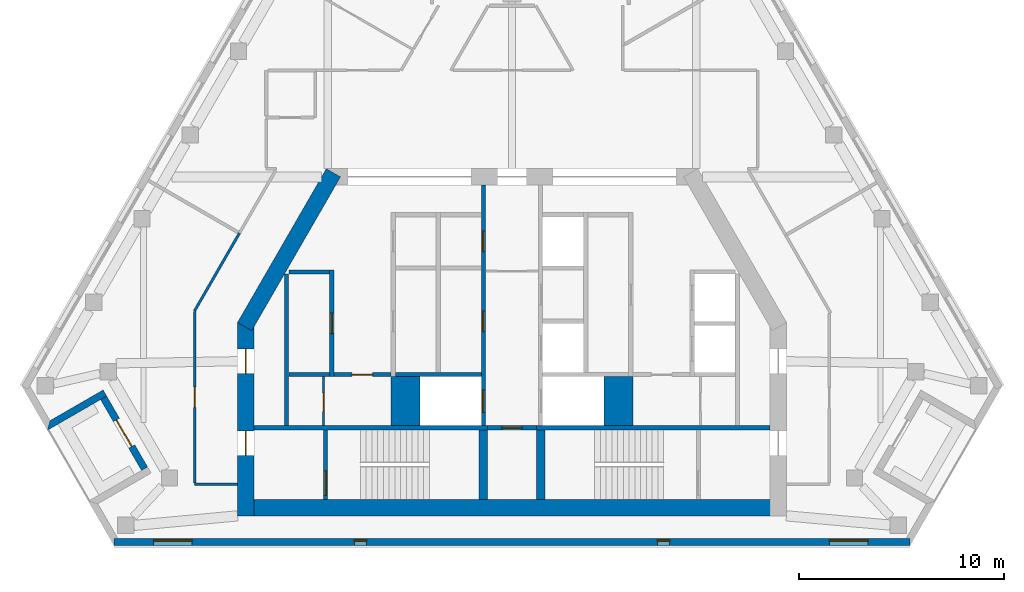
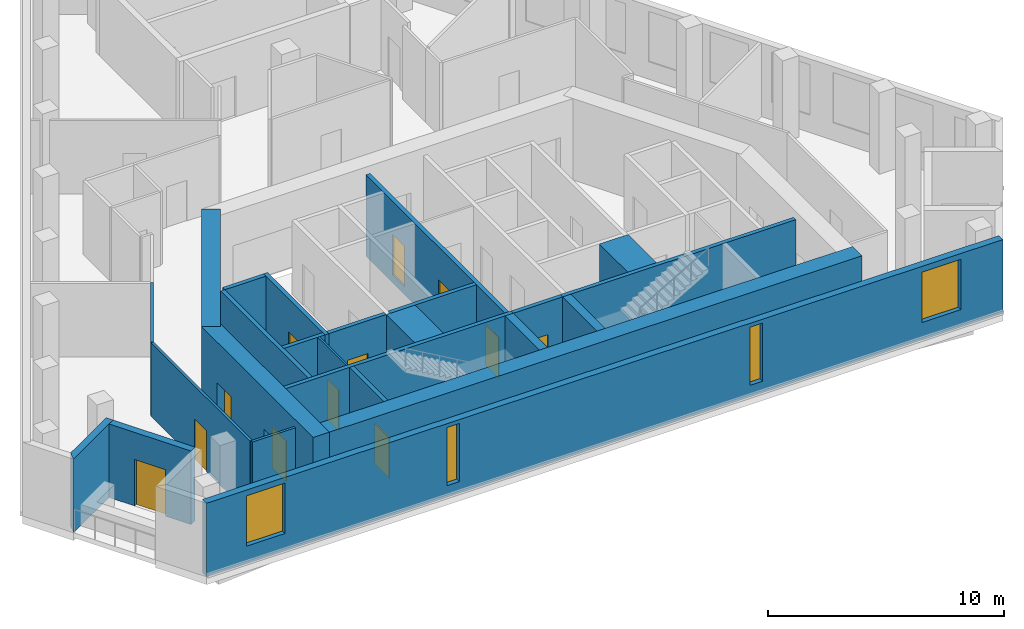
# One storey, part 2 of 8: 25 walls, 12 doors, 4 windows, 16 openings.
"""IFC4 building model written with IfcOpenShell, lengths in metres."""

from ifc_helpers import new_model, si_unit, direction, frame, frame_2d, origin, place, context, subcontext, project, spatial, polyline, rectangle, outline, extrude, material, layer, layer_set, type_object, element, fill, save


model = new_model("IFC4")

# Units and contexts
model_context = context("Model", 3, precision=1e-05, world=origin(), true_north=direction((0.0, 1.0)))
body_context = subcontext(model_context, "Body", "Model", "MODEL_VIEW")
ifc_project = project(units=[si_unit("LENGTHUNIT", "METRE"), si_unit("AREAUNIT", "SQUARE_METRE"), si_unit("VOLUMEUNIT", "CUBIC_METRE"), si_unit("PLANEANGLEUNIT", "RADIAN"), si_unit("MASSUNIT", "GRAM", prefix="KILO")], contexts=[model_context])

# Site, building, storey
site_placement = place(None, origin())
site = spatial("IfcSite", under=ifc_project, at=site_placement, CompositionType="ELEMENT")
building_placement = place(site_placement, origin())
building = spatial("IfcBuilding", under=site, at=building_placement, Name="Fogline Exchange Tower", CompositionType="ELEMENT")
storey_placement = place(building_placement, frame((0.0, 0.0, 335.10009765625)))
storey = spatial("IfcBuildingStorey", under=building, at=storey_placement, Name="L76", CompositionType="ELEMENT", Elevation=335.10009765625)

# Wall, opening, door
ifc_material_1 = material(Name="Blockwork partition", Category="masonry")
ifc_layer_1 = layer(ifc_material_1, 0.10009765625)
ifc_layer_set_1 = layer_set([ifc_layer_1], Name="CW10")
wall_type_1 = type_object("IfcWallType", Name="CW10", PredefinedType="PARTITIONING", material=ifc_layer_set_1)
wall_1_placement = place(storey_placement, frame((-9.199951171875, 5.85009765625, 0.0), z_axis=(0.0, 0.0, 1.0), x_axis=(0.0, 1.0, 0.0)))
wall_1 = element("IfcWall", 1, at=wall_1_placement, inside=storey, type_object=wall_type_1, Name="WC partition", PredefinedType="PARTITIONING", context=body_context, shape_type="SweptSolid", body=[
    extrude(rectangle(XDim=2.39990234375, YDim=0.10009765625, at=frame_2d((1.199951171875, 0.0))), origin(), (0.0, 0.0, 1.0), 3.7998046875),
])
opening_1_placement = place(wall_1_placement, frame((0.699951171875, 0.0, 0.0)))
opening_1 = element("IfcOpeningElement", 2, at=opening_1_placement, cuts=wall_1, Name="Opening T24-C010", PredefinedType="OPENING", context=body_context, shape_type="SweptSolid", body=[
    extrude(rectangle(XDim=0.89990234375, YDim=2.10009765625, at=frame_2d((0.449951171875, 1.050048828125))), frame((0.0, 0.06005859375, 0.0), z_axis=(0.0, -1.0, 0.0), x_axis=(1.0, 0.0, 0.0)), (0.0, 0.0, 1.0), 0.1201171875),
])
ifc_material_2 = material(Name="Steel and timber fire door", Category="steel")
door_type_1 = type_object("IfcDoorType", Name="D-CS1", OperationType="SINGLE_SWING_RIGHT", PredefinedType="DOOR", material=ifc_material_2)
door_1_placement = place(opening_1_placement, origin())
door_1 = element("IfcDoor", 3, at=door_1_placement, inside=storey, type_object=door_type_1, Name="Door to Cleaner's Store", OperationType="SINGLE_SWING_LEFT", OverallHeight=2.10009765625, OverallWidth=0.89990234375, PredefinedType="DOOR", context=body_context, shape_type="SweptSolid", body=[
    extrude(rectangle(XDim=0.89990234375, YDim=2.10009765625, at=frame_2d((0.449951171875, 1.050048828125))), frame((0.0, 0.02490234375, 0.0), z_axis=(0.0, -1.0, 0.0), x_axis=(1.0, 0.0, 0.0)), (0.0, 0.0, 1.0), 0.050048828125),
])
fill(opening_1, door_1)

# Walls
ifc_material_3 = material(Name="Concrete C60", Category="concrete")
ifc_layer_2 = layer(ifc_material_3, 1.39990234375)
ifc_layer_set_2 = layer_set([ifc_layer_2], Name="CW140")
wall_type_2 = type_object("IfcWallType", Name="CW140", PredefinedType="SOLIDWALL", material=ifc_layer_set_2)
for number, where, z_axis, x_axis, name in (
    (4, (-5.199951171875, 5.85009765625, -0.400146484375), (0.0, 0.0, 1.0), (0.0, 1.0, 0.0), "Lift shaft block wall"),
    (5, (5.199951171875, 5.85009765625, -0.400146484375), (0.0, 0.0, 1.0), (0.0, 1.0, 0.0), "Lift shaft block wall"),
):
    element("IfcWall", number, at=place(storey_placement, frame(where, z_axis=z_axis, x_axis=x_axis)), inside=storey, type_object=wall_type_2, Name=name, PredefinedType="SOLIDWALL", context=body_context, shape_type="SweptSolid", body=[
        extrude(rectangle(XDim=2.39990234375, YDim=1.39990234375, at=frame_2d((1.199951171875, 0.0))), origin(), (0.0, 0.0, 1.0), 4.199951171875),
    ])
ifc_material_4 = material(Name="Concrete C40", Category="concrete")
ifc_layer_3 = layer(ifc_material_4, 0.199951171875)
ifc_layer_set_3 = layer_set([ifc_layer_3], Name="CW20")
wall_type_3 = type_object("IfcWallType", Name="CW20", PredefinedType="SOLIDWALL", material=ifc_layer_set_3)
wall_2_placement = place(storey_placement, frame((-11.0, 5.85009765625, 0.0), z_axis=(0.0, 0.0, 1.0), x_axis=(0.0, 1.0, 0.0)))
element("IfcWall", 6, at=wall_2_placement, inside=storey, type_object=wall_type_3, Name="Service room wall", PredefinedType="SOLIDWALL", context=body_context, shape_type="SweptSolid", body=[
    extrude(rectangle(XDim=7.39990234375, YDim=0.199951171875, at=frame_2d((3.699951171875, 0.0))), origin(), (0.0, 0.0, 1.0), 3.7998046875),
])

# Wall, opening, door
wall_3_placement = place(storey_placement, frame((-8.699951171875, 8.35009765625, 0.0), z_axis=(0.0, 0.0, 1.0), x_axis=(1.0, 0.0, 0.0)))
wall_3 = element("IfcWall", 7, at=wall_3_placement, inside=storey, type_object=wall_type_3, Name="WC wall", PredefinedType="SOLIDWALL", context=body_context, shape_type="SweptSolid", body=[
    extrude(rectangle(XDim=2.800048828125, YDim=0.199951171875, at=frame_2d((1.39990234375, 0.0))), origin(), (0.0, 0.0, 1.0), 3.7998046875),
])
opening_2_placement = place(wall_3_placement, frame((0.89990234375, 0.0, 0.0)))
opening_2 = element("IfcOpeningElement", 8, at=opening_2_placement, cuts=wall_3, Name="Opening T24-C009", PredefinedType="OPENING", context=body_context, shape_type="SweptSolid", body=[
    extrude(rectangle(XDim=1.0, YDim=2.10009765625, at=frame_2d((0.5, 1.050048828125))), frame((0.0, 0.10986328125, 0.0), z_axis=(0.0, -1.0, 0.0), x_axis=(1.0, 0.0, 0.0)), (0.0, 0.0, 1.0), 0.219970703125),
])
door_type_2 = type_object("IfcDoorType", Name="D-WC1", OperationType="SINGLE_SWING_LEFT", PredefinedType="DOOR", material=ifc_material_2)
door_2_placement = place(opening_2_placement, frame((1.0, 0.0, 0.0), z_axis=(0.0, 0.0, 1.0), x_axis=(-1.0, 0.0, 0.0)))
door_2 = element("IfcDoor", 9, at=door_2_placement, inside=storey, type_object=door_type_2, Name="Door to Men's WC", OperationType="SINGLE_SWING_LEFT", OverallHeight=2.10009765625, OverallWidth=1.0, PredefinedType="DOOR", context=body_context, shape_type="SweptSolid", body=[
    extrude(rectangle(XDim=1.0, YDim=2.10009765625, at=frame_2d((0.5, 1.050048828125))), frame((0.0, 0.02490234375, 0.0), z_axis=(0.0, -1.0, 0.0), x_axis=(1.0, 0.0, 0.0)), (0.0, 0.0, 1.0), 0.050048828125),
])
fill(opening_2, door_2)

# Wall
ifc_layer_4 = layer(ifc_material_4, 0.199951171875)
ifc_layer_set_4 = layer_set([ifc_layer_4], Name="CW20R")
wall_type_4 = type_object("IfcWallType", Name="CW20R", PredefinedType="SOLIDWALL", material=ifc_layer_set_4)
wall_4_placement = place(storey_placement, frame((-12.60009765625, 5.75, -0.400146484375), z_axis=(0.0, 0.0, 1.0), x_axis=(1.0, 0.0, 0.0)))
element("IfcWall", 10, at=wall_4_placement, inside=storey, type_object=wall_type_4, Name="Stair enclosure wall", PredefinedType="SOLIDWALL", context=body_context, shape_type="SweptSolid", body=[
    extrude(rectangle(XDim=11.400146484375, YDim=0.199951171875, at=frame_2d((5.7001953125, 0.0))), origin(), (0.0, 0.0, 1.0), 4.199951171875),
])

# Wall, opening, door
wall_5_placement = place(storey_placement, frame((-1.199951171875, 5.75, -0.400146484375), z_axis=(0.0, 0.0, 1.0), x_axis=(1.0, 0.0, 0.0)))
wall_5 = element("IfcWall", 11, at=wall_5_placement, inside=storey, type_object=wall_type_4, Name="Stair enclosure wall", PredefinedType="SOLIDWALL", context=body_context, shape_type="SweptSolid", body=[
    extrude(rectangle(XDim=2.39990234375, YDim=0.199951171875, at=frame_2d((1.199951171875, 0.0))), origin(), (0.0, 0.0, 1.0), 4.199951171875),
])
opening_3_placement = place(wall_5_placement, frame((0.699951171875, 0.0, 0.39990234375)))
opening_3 = element("IfcOpeningElement", 12, at=opening_3_placement, cuts=wall_5, Name="Opening T24-C008", PredefinedType="OPENING", context=body_context, shape_type="SweptSolid", body=[
    extrude(rectangle(XDim=1.0, YDim=2.10009765625, at=frame_2d((0.5, 1.050048828125))), frame((0.0, 0.10986328125, 0.0), z_axis=(0.0, -1.0, 0.0), x_axis=(1.0, 0.0, 0.0)), (0.0, 0.0, 1.0), 0.219970703125),
])
door_type_3 = type_object("IfcDoorType", Name="D-RM1", OperationType="SINGLE_SWING_LEFT", PredefinedType="DOOR", material=ifc_material_2)
door_3_placement = place(opening_3_placement, frame((1.0, 0.0, 0.0), z_axis=(0.0, 0.0, 1.0), x_axis=(-1.0, 0.0, 0.0)))
door_3 = element("IfcDoor", 13, at=door_3_placement, inside=storey, type_object=door_type_3, Name="Door to Stationery Store", OperationType="SINGLE_SWING_RIGHT", OverallHeight=2.10009765625, OverallWidth=1.0, PredefinedType="DOOR", context=body_context, shape_type="SweptSolid", body=[
    extrude(rectangle(XDim=1.0, YDim=2.10009765625, at=frame_2d((0.5, 1.050048828125))), frame((0.0, 0.02490234375, 0.0), z_axis=(0.0, -1.0, 0.0), x_axis=(1.0, 0.0, 0.0)), (0.0, 0.0, 1.0), 0.050048828125),
])
fill(opening_3, door_3)

# Wall
wall_6_placement = place(storey_placement, frame((1.199951171875, 5.75, -0.400146484375), z_axis=(0.0, 0.0, 1.0), x_axis=(1.0, 0.0, 0.0)))
element("IfcWall", 14, at=wall_6_placement, inside=storey, type_object=wall_type_4, Name="Stair enclosure wall", PredefinedType="SOLIDWALL", context=body_context, shape_type="SweptSolid", body=[
    extrude(rectangle(XDim=11.400146484375, YDim=0.199951171875, at=frame_2d((5.7001953125, 0.0))), origin(), (0.0, 0.0, 1.0), 4.199951171875),
])

# Wall, opening, door
wall_7_placement = place(storey_placement, frame((-9.10009765625, 2.25, -0.400146484375), z_axis=(0.0, 0.0, 1.0), x_axis=(0.0, 1.0, 0.0)))
wall_7 = element("IfcWall", 15, at=wall_7_placement, inside=storey, type_object=wall_type_4, Name="Stair enclosure wall", PredefinedType="SOLIDWALL", context=body_context, shape_type="SweptSolid", body=[
    extrude(rectangle(XDim=3.39990234375, YDim=0.199951171875, at=frame_2d((1.699951171875, 0.0))), origin(), (0.0, 0.0, 1.0), 4.199951171875),
])
opening_4_placement = place(wall_7_placement, frame((0.199951171875, 0.0, 0.39990234375)))
opening_4 = element("IfcOpeningElement", 16, at=opening_4_placement, cuts=wall_7, Name="Opening T24-C012", PredefinedType="OPENING", context=body_context, shape_type="SweptSolid", body=[
    extrude(rectangle(XDim=1.199951171875, YDim=2.10009765625, at=frame_2d((0.60009765625, 1.050048828125))), frame((0.0, 0.10986328125, 0.0), z_axis=(0.0, -1.0, 0.0), x_axis=(1.0, 0.0, 0.0)), (0.0, 0.0, 1.0), 0.219970703125),
])
door_type_4 = type_object("IfcDoorType", Name="D-ST1", OperationType="SINGLE_SWING_LEFT", PredefinedType="DOOR", material=ifc_material_2)
door_4_placement = place(opening_4_placement, frame((1.199951171875, 0.0, 0.0), z_axis=(0.0, 0.0, 1.0), x_axis=(-1.0, 0.0, 0.0)))
door_4 = element("IfcDoor", 17, at=door_4_placement, inside=storey, type_object=door_type_4, Name="Stair door ST1", OperationType="SINGLE_SWING_RIGHT", OverallHeight=2.10009765625, OverallWidth=1.199951171875, PredefinedType="DOOR", context=body_context, shape_type="SweptSolid", body=[
    extrude(rectangle(XDim=1.199951171875, YDim=2.10009765625, at=frame_2d((0.60009765625, 1.050048828125))), frame((0.0, 0.02490234375, 0.0), z_axis=(0.0, -1.0, 0.0), x_axis=(1.0, 0.0, 0.0)), (0.0, 0.0, 1.0), 0.050048828125),
])
fill(opening_4, door_4)

ifc_layer_5 = layer(ifc_material_4, 0.199951171875)
ifc_layer_set_5 = layer_set([ifc_layer_5], Name="CW20S")
wall_type_5 = type_object("IfcWallType", Name="CW20S", PredefinedType="SOLIDWALL", material=ifc_layer_set_5)
wall_8_placement = place(storey_placement, frame((-8.800048828125, 8.25, -0.400146484375), z_axis=(0.0, 0.0, 1.0), x_axis=(0.0, 1.0, 0.0)))
wall_8 = element("IfcWall", 18, at=wall_8_placement, inside=storey, type_object=wall_type_5, Name="Lift shaft wall", PredefinedType="SOLIDWALL", context=body_context, shape_type="SweptSolid", body=[
    extrude(rectangle(XDim=5.199951171875, YDim=0.199951171875, at=frame_2d((2.60009765625, 0.0))), origin(), (0.0, 0.0, 1.0), 4.199951171875),
])
opening_5_placement = place(wall_8_placement, frame((2.10009765625, 0.0, 0.39990234375)))
opening_5 = element("IfcOpeningElement", 19, at=opening_5_placement, cuts=wall_8, Name="Opening T24-C001", PredefinedType="OPENING", context=body_context, shape_type="SweptSolid", body=[
    extrude(rectangle(XDim=1.0, YDim=2.10009765625, at=frame_2d((0.5, 1.050048828125))), frame((0.0, 0.10986328125, 0.0), z_axis=(0.0, -1.0, 0.0), x_axis=(1.0, 0.0, 0.0)), (0.0, 0.0, 1.0), 0.219970703125),
])
door_5_placement = place(opening_5_placement, origin())
door_5 = element("IfcDoor", 20, at=door_5_placement, inside=storey, type_object=door_type_3, Name="Door to Archive Room", OperationType="SINGLE_SWING_RIGHT", OverallHeight=2.10009765625, OverallWidth=1.0, PredefinedType="DOOR", context=body_context, shape_type="SweptSolid", body=[
    extrude(rectangle(XDim=1.0, YDim=2.10009765625, at=frame_2d((0.5, 1.050048828125))), frame((0.0, 0.02490234375, 0.0), z_axis=(0.0, -1.0, 0.0), x_axis=(1.0, 0.0, 0.0)), (0.0, 0.0, 1.0), 0.050048828125),
])
fill(opening_5, door_5)

# Wall, openings, doors
wall_9_placement = place(storey_placement, frame((-1.39990234375, 5.85009765625, -0.400146484375), z_axis=(0.0, 0.0, 1.0), x_axis=(0.0, 1.0, 0.0)))
wall_9 = element("IfcWall", 21, at=wall_9_placement, inside=storey, type_object=wall_type_5, Name="Lift lobby wall", PredefinedType="SOLIDWALL", context=body_context, shape_type="SweptSolid", body=[
    extrude(rectangle(XDim=11.75, YDim=0.199951171875, at=frame_2d((5.875, 0.0))), origin(), (0.0, 0.0, 1.0), 4.199951171875),
])
opening_6_placement = place(wall_9_placement, frame((0.64990234375, 0.0, 0.39990234375)))
opening_6 = element("IfcOpeningElement", 22, at=opening_6_placement, cuts=wall_9, Name="Opening T24-LD01", PredefinedType="OPENING", context=body_context, shape_type="SweptSolid", body=[
    extrude(rectangle(XDim=1.10009765625, YDim=2.10009765625, at=frame_2d((0.550048828125, 1.050048828125))), frame((0.0, 0.10986328125, 0.0), z_axis=(0.0, -1.0, 0.0), x_axis=(1.0, 0.0, 0.0)), (0.0, 0.0, 1.0), 0.219970703125),
])
opening_7_placement = place(wall_9_placement, frame((4.60009765625, 0.0, 0.39990234375)))
opening_7 = element("IfcOpeningElement", 23, at=opening_7_placement, cuts=wall_9, Name="Opening T24-C004", PredefinedType="OPENING", context=body_context, shape_type="SweptSolid", body=[
    extrude(rectangle(XDim=1.0, YDim=2.10009765625, at=frame_2d((0.5, 1.050048828125))), frame((0.0, 0.10986328125, 0.0), z_axis=(0.0, -1.0, 0.0), x_axis=(1.0, 0.0, 0.0)), (0.0, 0.0, 1.0), 0.219970703125),
])
opening_8_placement = place(wall_9_placement, frame((8.5, 0.0, 0.39990234375)))
opening_8 = element("IfcOpeningElement", 24, at=opening_8_placement, cuts=wall_9, Name="Opening T24-C005", PredefinedType="OPENING", context=body_context, shape_type="SweptSolid", body=[
    extrude(rectangle(XDim=1.0, YDim=2.10009765625, at=frame_2d((0.5, 1.050048828125))), frame((0.0, 0.10986328125, 0.0), z_axis=(0.0, -1.0, 0.0), x_axis=(1.0, 0.0, 0.0)), (0.0, 0.0, 1.0), 0.219970703125),
])
door_6_placement = place(opening_7_placement, origin())
door_6 = element("IfcDoor", 25, at=door_6_placement, inside=storey, type_object=door_type_3, Name="Door to Library Store", OperationType="SINGLE_SWING_LEFT", OverallHeight=2.10009765625, OverallWidth=1.0, PredefinedType="DOOR", context=body_context, shape_type="SweptSolid", body=[
    extrude(rectangle(XDim=1.0, YDim=2.10009765625, at=frame_2d((0.5, 1.050048828125))), frame((0.0, 0.02490234375, 0.0), z_axis=(0.0, -1.0, 0.0), x_axis=(1.0, 0.0, 0.0)), (0.0, 0.0, 1.0), 0.050048828125),
])
fill(opening_7, door_6)
door_7_placement = place(opening_8_placement, origin())
door_7 = element("IfcDoor", 26, at=door_7_placement, inside=storey, type_object=door_type_3, Name="Door to Library Store", OperationType="SINGLE_SWING_LEFT", OverallHeight=2.10009765625, OverallWidth=1.0, PredefinedType="DOOR", context=body_context, shape_type="SweptSolid", body=[
    extrude(rectangle(XDim=1.0, YDim=2.10009765625, at=frame_2d((0.5, 1.050048828125))), frame((0.0, 0.02490234375, 0.0), z_axis=(0.0, -1.0, 0.0), x_axis=(1.0, 0.0, 0.0)), (0.0, 0.0, 1.0), 0.050048828125),
])
fill(opening_8, door_7)
door_type_5 = type_object("IfcDoorType", Name="LD2", OperationType="SLIDING_TO_RIGHT", PredefinedType="DOOR", material=ifc_material_2)
door_8_placement = place(opening_6_placement, origin())
door_8 = element("IfcDoor", 27, at=door_8_placement, inside=storey, type_object=door_type_5, Name="Landing door FF1", OperationType="SLIDING_TO_RIGHT", OverallHeight=2.10009765625, OverallWidth=1.10009765625, PredefinedType="DOOR", context=body_context, shape_type="SweptSolid", body=[
    extrude(rectangle(XDim=1.10009765625, YDim=2.10009765625, at=frame_2d((0.550048828125, 1.050048828125))), frame((0.0, 0.02490234375, 0.0), z_axis=(0.0, -1.0, 0.0), x_axis=(1.0, 0.0, 0.0)), (0.0, 0.0, 1.0), 0.050048828125),
])
fill(opening_6, door_8)

# Walls
wall_10_placement = place(storey_placement, frame((-10.89990234375, 8.35009765625, -0.400146484375), z_axis=(0.0, 0.0, 1.0), x_axis=(1.0, 0.0, 0.0)))
element("IfcWall", 28, at=wall_10_placement, inside=storey, type_object=wall_type_5, Name="Lift shaft wall", PredefinedType="SOLIDWALL", context=body_context, shape_type="SweptSolid", body=[
    extrude(rectangle(XDim=2.0, YDim=0.199951171875, at=frame_2d((1.0, 0.0))), origin(), (0.0, 0.0, 1.0), 4.199951171875),
])
wall_11_placement = place(storey_placement, frame((-5.699951171875, 8.35009765625, -0.400146484375), z_axis=(0.0, 0.0, 1.0), x_axis=(1.0, 0.0, 0.0)))
element("IfcWall", 29, at=wall_11_placement, inside=storey, type_object=wall_type_5, Name="Lift shaft wall", PredefinedType="SOLIDWALL", context=body_context, shape_type="SweptSolid", body=[
    extrude(rectangle(XDim=4.199951171875, YDim=0.199951171875, at=frame_2d((2.10009765625, 0.0))), origin(), (0.0, 0.0, 1.0), 4.199951171875),
])
wall_12_placement = place(storey_placement, frame((-10.89990234375, 13.35009765625, -0.400146484375), z_axis=(0.0, 0.0, 1.0), x_axis=(1.0, 0.0, 0.0)))
element("IfcWall", 30, at=wall_12_placement, inside=storey, type_object=wall_type_5, Name="Lift shaft wall", PredefinedType="SOLIDWALL", context=body_context, shape_type="SweptSolid", body=[
    extrude(rectangle(XDim=2.0, YDim=0.199951171875, at=frame_2d((1.0, 0.0))), origin(), (0.0, 0.0, 1.0), 4.199951171875),
])
ifc_layer_6 = layer(ifc_material_4, 0.39990234375)
ifc_layer_set_6 = layer_set([ifc_layer_6], Name="CW40R")
wall_type_6 = type_object("IfcWallType", Name="CW40R", PredefinedType="SOLIDWALL", material=ifc_layer_set_6)
for number, where, z_axis, x_axis, name in (
    (31, (-1.39990234375, 2.25, -0.400146484375), (0.0, 0.0, 1.0), (0.0, 1.0, 0.0), "Stair and lift shaft wall"),
    (32, (1.39990234375, 2.25, -0.400146484375), (0.0, 0.0, 1.0), (0.0, 1.0, 0.0), "Stair and lift shaft wall"),
):
    element("IfcWall", number, at=place(storey_placement, frame(where, z_axis=z_axis, x_axis=x_axis)), inside=storey, type_object=wall_type_6, Name=name, PredefinedType="SOLIDWALL", context=body_context, shape_type="SweptSolid", body=[
        extrude(rectangle(XDim=3.39990234375, YDim=0.39990234375, at=frame_2d((1.699951171875, 0.0))), origin(), (0.0, 0.0, 1.0), 4.199951171875),
    ])
ifc_material_5 = material(Name="Brick masonry", Category="masonry")
ifc_layer_7 = layer(ifc_material_5, 0.340087890625)
ifc_layer_set_7 = layer_set([ifc_layer_7], Name="FW1")
wall_type_7 = type_object("IfcWallType", Name="FW1", PredefinedType="SOLIDWALL", material=ifc_layer_set_7)
wall_13_placement = place(storey_placement, origin())
element("IfcWall", 33, at=wall_13_placement, inside=storey, type_object=wall_type_7, Name="Brick wall L76 SW-s1", PredefinedType="SOLIDWALL", context=body_context, shape_type="SweptSolid", body=[
    extrude(outline(polyline([(-19.962158203125, 7.594482421875), (-19.791748046875, 7.298828125), (-20.086669921875, 7.128662109375), (-22.685546875, 5.628173828125), (-22.685791015625, 5.62841796875), (-22.56103515625, 6.093994140625), (-19.962158203125, 7.594482421875)])), origin(), (0.0, 0.0, 1.0), 3.7998046875),
])

# Wall, opening, door
wall_14_placement = place(storey_placement, frame((-19.939697265625, 7.214111328125, 0.0), z_axis=(0.0, 0.0, 1.0), x_axis=(0.49999894854, -0.866026010844, 0.0)))
wall_14 = element("IfcWall", 34, at=wall_14_placement, inside=storey, type_object=wall_type_7, Name="Brick wall L76 SW-bk", PredefinedType="SOLIDWALL", context=body_context, shape_type="SweptSolid", body=[
    extrude(rectangle(XDim=4.0, YDim=0.340087890625, at=frame_2d((2.0, 0.0))), origin(), (0.0, 0.0, 1.0), 3.7998046875),
])
opening_9_placement = place(wall_14_placement, frame((1.25, 0.0, 0.0)))
opening_9 = element("IfcOpeningElement", 35, at=opening_9_placement, cuts=wall_14, Name="Opening T24-E021", PredefinedType="OPENING", context=body_context, shape_type="SweptSolid", body=[
    extrude(rectangle(XDim=1.5, YDim=2.39990234375, at=frame_2d((0.75, 1.199951171875))), frame((0.0, 0.18017578125, 0.0), z_axis=(0.0, -1.0, 0.0), x_axis=(1.0, 0.0, 0.0)), (0.0, 0.0, 1.0), 0.360107421875),
])
ifc_material_6 = material(Name="Aluminium and glass", Category="aluminium")
door_type_6 = type_object("IfcDoorType", Name="ED4", OperationType="SINGLE_SWING_LEFT", PredefinedType="DOOR", material=ifc_material_6)
door_9_placement = place(opening_9_placement, frame((1.5, 0.0, 0.0), z_axis=(0.0, 0.0, 1.0), x_axis=(-1.0, 0.0, 0.0)))
door_9 = element("IfcDoor", 36, at=door_9_placement, inside=storey, type_object=door_type_6, Name="Balcony door L76 SW", OperationType="DOUBLE_DOOR_SINGLE_SWING", OverallHeight=2.39990234375, OverallWidth=1.5, PredefinedType="DOOR", context=body_context, shape_type="SweptSolid", body=[
    extrude(rectangle(XDim=1.5, YDim=2.39990234375, at=frame_2d((0.75, 1.199951171875))), frame((0.0, 0.02490234375, 0.0), z_axis=(0.0, -1.0, 0.0), x_axis=(1.0, 0.0, 0.0)), (0.0, 0.0, 1.0), 0.050048828125),
])
fill(opening_9, door_9)

# Wall, openings, windows
wall_15_placement = place(storey_placement, frame((-19.43505859375, 0.169921875, 0.0), z_axis=(0.0, 0.0, 1.0), x_axis=(1.0, 0.0, 0.0)))
wall_15 = element("IfcWall", 37, at=wall_15_placement, inside=storey, type_object=wall_type_7, Name="Brick wall L76 S", PredefinedType="SOLIDWALL", context=body_context, shape_type="SweptSolid", body=[
    extrude(rectangle(XDim=38.8701171875, YDim=0.340087890625, at=frame_2d((19.43505859375, 0.0))), origin(), (0.0, 0.0, 1.0), 3.7998046875),
])
opening_10_placement = place(wall_15_placement, frame((1.93505859375, 0.0, 0.89990234375)))
opening_10 = element("IfcOpeningElement", 38, at=opening_10_placement, cuts=wall_15, Name="Opening W3", PredefinedType="OPENING", context=body_context, shape_type="SweptSolid", body=[
    extrude(rectangle(XDim=1.885009765625, YDim=2.60009765625, at=frame_2d((0.9423828125, 1.300048828125))), frame((0.0, 0.18017578125, 0.0), z_axis=(0.0, -1.0, 0.0), x_axis=(1.0, 0.0, 0.0)), (0.0, 0.0, 1.0), 0.360107421875),
])
opening_11_placement = place(wall_15_placement, frame((34.93505859375, 0.0, 0.89990234375)))
opening_11 = element("IfcOpeningElement", 39, at=opening_11_placement, cuts=wall_15, Name="Opening W3", PredefinedType="OPENING", context=body_context, shape_type="SweptSolid", body=[
    extrude(rectangle(XDim=1.885009765625, YDim=2.60009765625, at=frame_2d((0.9423828125, 1.300048828125))), frame((0.0, 0.18017578125, 0.0), z_axis=(0.0, -1.0, 0.0), x_axis=(1.0, 0.0, 0.0)), (0.0, 0.0, 1.0), 0.360107421875),
])
opening_12_placement = place(wall_15_placement, frame((11.735107421875, 0.0, 0.60009765625)))
opening_12 = element("IfcOpeningElement", 40, at=opening_12_placement, cuts=wall_15, Name="Opening W5", PredefinedType="OPENING", context=body_context, shape_type="SweptSolid", body=[
    extrude(rectangle(XDim=0.60009765625, YDim=3.0, at=frame_2d((0.300048828125, 1.5))), frame((0.0, 0.18017578125, 0.0), z_axis=(0.0, -1.0, 0.0), x_axis=(1.0, 0.0, 0.0)), (0.0, 0.0, 1.0), 0.360107421875),
])
opening_13_placement = place(wall_15_placement, frame((26.534912109375, 0.0, 0.60009765625)))
opening_13 = element("IfcOpeningElement", 41, at=opening_13_placement, cuts=wall_15, Name="Opening W5", PredefinedType="OPENING", context=body_context, shape_type="SweptSolid", body=[
    extrude(rectangle(XDim=0.60009765625, YDim=3.0, at=frame_2d((0.300048828125, 1.5))), frame((0.0, 0.18017578125, 0.0), z_axis=(0.0, -1.0, 0.0), x_axis=(1.0, 0.0, 0.0)), (0.0, 0.0, 1.0), 0.360107421875),
])
window_type_1 = type_object("IfcWindowType", Name="W3", PartitioningType="SINGLE_PANEL", PredefinedType="WINDOW", material=ifc_material_6)
window_1_placement = place(opening_10_placement, origin())
window_1 = element("IfcWindow", 42, at=window_1_placement, inside=storey, type_object=window_type_1, Name="W3 W3", OverallHeight=2.60009765625, OverallWidth=1.885009765625, PartitioningType="SINGLE_PANEL", PredefinedType="WINDOW", context=body_context, shape_type="SweptSolid", body=[
    extrude(rectangle(XDim=1.885009765625, YDim=2.60009765625, at=frame_2d((0.9423828125, 1.300048828125))), frame((0.0, 0.110107421875, 0.0), z_axis=(0.0, -1.0, 0.0), x_axis=(1.0, 0.0, 0.0)), (0.0, 0.0, 1.0), 0.06005859375),
])
fill(opening_10, window_1)
window_2_placement = place(opening_11_placement, origin())
window_2 = element("IfcWindow", 43, at=window_2_placement, inside=storey, type_object=window_type_1, Name="W3 W3", OverallHeight=2.60009765625, OverallWidth=1.885009765625, PartitioningType="SINGLE_PANEL", PredefinedType="WINDOW", context=body_context, shape_type="SweptSolid", body=[
    extrude(rectangle(XDim=1.885009765625, YDim=2.60009765625, at=frame_2d((0.9423828125, 1.300048828125))), frame((0.0, 0.110107421875, 0.0), z_axis=(0.0, -1.0, 0.0), x_axis=(1.0, 0.0, 0.0)), (0.0, 0.0, 1.0), 0.06005859375),
])
fill(opening_11, window_2)
window_type_2 = type_object("IfcWindowType", Name="W5", PartitioningType="SINGLE_PANEL", PredefinedType="WINDOW", material=ifc_material_6)
window_3_placement = place(opening_12_placement, origin())
window_3 = element("IfcWindow", 44, at=window_3_placement, inside=storey, type_object=window_type_2, Name="W5 W5", OverallHeight=3.0, OverallWidth=0.60009765625, PartitioningType="SINGLE_PANEL", PredefinedType="WINDOW", context=body_context, shape_type="SweptSolid", body=[
    extrude(rectangle(XDim=0.60009765625, YDim=3.0, at=frame_2d((0.300048828125, 1.5))), frame((0.0, 0.110107421875, 0.0), z_axis=(0.0, -1.0, 0.0), x_axis=(1.0, 0.0, 0.0)), (0.0, 0.0, 1.0), 0.06005859375),
])
fill(opening_12, window_3)
window_4_placement = place(opening_13_placement, origin())
window_4 = element("IfcWindow", 45, at=window_4_placement, inside=storey, type_object=window_type_2, Name="W5 W5", OverallHeight=3.0, OverallWidth=0.60009765625, PartitioningType="SINGLE_PANEL", PredefinedType="WINDOW", context=body_context, shape_type="SweptSolid", body=[
    extrude(rectangle(XDim=0.60009765625, YDim=3.0, at=frame_2d((0.300048828125, 1.5))), frame((0.0, 0.110107421875, 0.0), z_axis=(0.0, -1.0, 0.0), x_axis=(1.0, 0.0, 0.0)), (0.0, 0.0, 1.0), 0.06005859375),
])
fill(opening_13, window_4)

# Wall
ifc_material_7 = material(Name="Plasterboard corridor partition with mineral wool, 2 layers each side")
ifc_layer_8 = layer(ifc_material_7, 0.125)
ifc_layer_set_8 = layer_set([ifc_layer_8], Name="PW2")
wall_type_8 = type_object("IfcWallType", Name="PW2", PredefinedType="PARTITIONING", material=ifc_layer_set_8)
wall_16_placement = place(storey_placement, frame((-13.39990234375, 3.0, 0.0), z_axis=(0.0, 0.0, 1.0), x_axis=(-1.0, 0.0, 0.0)))
element("IfcWall", 46, at=wall_16_placement, inside=storey, type_object=wall_type_8, Name="wall-L76-W015", PredefinedType="PARTITIONING", context=body_context, shape_type="SweptSolid", body=[
    extrude(rectangle(XDim=2.10009765625, YDim=0.125, at=frame_2d((1.050048828125, 0.0))), origin(), (0.0, 0.0, 1.0), 3.7998046875),
])

# Wall, opening, door
wall_17_placement = place(storey_placement, frame((-15.5, 3.0625, 0.0), z_axis=(0.0, 0.0, 1.0), x_axis=(0.0, 1.0, 0.0)))
wall_17 = element("IfcWall", 47, at=wall_17_placement, inside=storey, type_object=wall_type_8, Name="wall-L76-W016", PredefinedType="PARTITIONING", context=body_context, shape_type="SweptSolid", body=[
    extrude(rectangle(XDim=8.361083984375, YDim=0.125, at=frame_2d((4.1806640625, 0.0))), origin(), (0.0, 0.0, 1.0), 3.7998046875),
])
opening_14_placement = place(wall_17_placement, frame((3.680419921875, 0.0, 0.0)))
opening_14 = element("IfcOpeningElement", 48, at=opening_14_placement, cuts=wall_17, Name="Opening T24-D006", PredefinedType="OPENING", context=body_context, shape_type="SweptSolid", body=[
    extrude(rectangle(XDim=1.0, YDim=2.10009765625, at=frame_2d((0.5, 1.050048828125))), frame((0.0, 0.072509765625, 0.0), z_axis=(0.0, -1.0, 0.0), x_axis=(1.0, 0.0, 0.0)), (0.0, 0.0, 1.0), 0.14501953125),
])
ifc_material_8 = material(Name="Fire-rated timber door leaf with steel frame", Category="steel")
door_type_7 = type_object("IfcDoorType", Name="D3", OperationType="SINGLE_SWING_LEFT", PredefinedType="DOOR", material=ifc_material_8)
door_10_placement = place(opening_14_placement, origin())
door_10 = element("IfcDoor", 49, at=door_10_placement, inside=storey, type_object=door_type_7, Name="door-L76-D006", OperationType="SINGLE_SWING_LEFT", OverallHeight=2.10009765625, OverallWidth=1.0, PredefinedType="DOOR", context=body_context, shape_type="SweptSolid", body=[
    extrude(rectangle(XDim=1.0, YDim=2.10009765625, at=frame_2d((0.5, 1.050048828125))), frame((0.0, 0.02490234375, 0.0), z_axis=(0.0, -1.0, 0.0), x_axis=(1.0, 0.0, 0.0)), (0.0, 0.0, 1.0), 0.050048828125),
])
fill(opening_14, door_10)

# Walls
wall_18_placement = place(storey_placement, frame((-15.5, 11.45458984375, 0.0), z_axis=(0.0, 0.0, 1.0), x_axis=(0.500005024956, 0.866022502605, 0.0)))
element("IfcWall", 50, at=wall_18_placement, inside=storey, type_object=wall_type_8, Name="wall-L76-W017", PredefinedType="PARTITIONING", context=body_context, shape_type="SweptSolid", body=[
    extrude(rectangle(XDim=4.3876953125, YDim=0.125, at=frame_2d((2.19384765625, 0.0))), origin(), (0.0, 0.0, 1.0), 3.7998046875),
])
ifc_material_9 = material(Name="Concrete C50", Category="concrete")
ifc_layer_9 = layer(ifc_material_9, 0.800048828125)
ifc_layer_set_9 = layer_set([ifc_layer_9], Name="SW04")
wall_type_9 = type_object("IfcWallType", Name="SW04", PredefinedType="SHEAR", material=ifc_layer_set_9)
wall_19_placement = place(storey_placement, frame((-13.39990234375, 1.85009765625, 0.0), z_axis=(0.0, 0.0, 1.0), x_axis=(1.0, 0.0, 0.0)))
element("IfcWall", 51, at=wall_19_placement, inside=storey, type_object=wall_type_9, Name="L76-W901", PredefinedType="SHEAR", context=body_context, shape_type="SweptSolid", body=[
    extrude(rectangle(XDim=26.7998046875, YDim=0.800048828125, at=frame_2d((13.39990234375, 0.0))), origin(), (0.0, 0.0, 1.0), 4.199951171875),
])
wall_20_placement = place(storey_placement, frame((-8.71875, 18.199951171875, 0.0), z_axis=(0.0, 0.0, 1.0), x_axis=(-0.500015780397, -0.866016292776, 0.0)))
element("IfcWall", 52, at=wall_20_placement, inside=storey, type_object=wall_type_9, Name="L76-W905", PredefinedType="SHEAR", context=body_context, shape_type="SweptSolid", body=[
    extrude(rectangle(XDim=8.669677734375, YDim=0.800048828125, at=frame_2d((4.3349609375, 0.0))), origin(), (0.0, 0.0, 1.0), 4.199951171875),
])

# Wall, openings, doors
wall_21_placement = place(storey_placement, frame((-13.0, 10.891845703125, 0.0), z_axis=(0.0, 0.0, 1.0), x_axis=(0.0, -1.0, 0.0)))
wall_21 = element("IfcWall", 53, at=wall_21_placement, inside=storey, type_object=wall_type_9, Name="L76-W906", PredefinedType="SHEAR", context=body_context, shape_type="SweptSolid", body=[
    extrude(rectangle(XDim=9.44189453125, YDim=0.800048828125, at=frame_2d((4.720947265625, 0.0))), origin(), (0.0, 0.0, 1.0), 4.199951171875),
])
opening_15_placement = place(wall_21_placement, frame((5.291748046875, 0.0, 0.0)))
opening_15 = element("IfcOpeningElement", 54, at=opening_15_placement, cuts=wall_21, Name="Opening T24-C011", PredefinedType="OPENING", context=body_context, shape_type="SweptSolid", body=[
    extrude(rectangle(XDim=1.199951171875, YDim=2.10009765625, at=frame_2d((0.60009765625, 1.050048828125))), frame((0.0, 0.41015625, 0.0), z_axis=(0.0, -1.0, 0.0), x_axis=(1.0, 0.0, 0.0)), (0.0, 0.0, 1.0), 0.820068359375),
])
opening_16_placement = place(wall_21_placement, frame((1.291748046875, 0.0, 0.0)))
opening_16 = element("IfcOpeningElement", 55, at=opening_16_placement, cuts=wall_21, Name="Opening T24-C013", PredefinedType="OPENING", context=body_context, shape_type="SweptSolid", body=[
    extrude(rectangle(XDim=1.199951171875, YDim=2.10009765625, at=frame_2d((0.60009765625, 1.050048828125))), frame((0.0, 0.41015625, 0.0), z_axis=(0.0, -1.0, 0.0), x_axis=(1.0, 0.0, 0.0)), (0.0, 0.0, 1.0), 0.820068359375),
])
door_type_8 = type_object("IfcDoorType", Name="D-FR1", OperationType="SINGLE_SWING_RIGHT", PredefinedType="DOOR", material=ifc_material_2)
door_11_placement = place(opening_15_placement, origin())
door_11 = element("IfcDoor", 56, at=door_11_placement, inside=storey, type_object=door_type_8, Name="Front room door ST1", OperationType="SINGLE_SWING_LEFT", OverallHeight=2.10009765625, OverallWidth=1.199951171875, PredefinedType="DOOR", context=body_context, shape_type="SweptSolid", body=[
    extrude(rectangle(XDim=1.199951171875, YDim=2.10009765625, at=frame_2d((0.60009765625, 1.050048828125))), frame((0.0, 0.02490234375, 0.0), z_axis=(0.0, -1.0, 0.0), x_axis=(1.0, 0.0, 0.0)), (0.0, 0.0, 1.0), 0.050048828125),
])
fill(opening_15, door_11)
door_type_9 = type_object("IfcDoorType", Name="D-SV1", OperationType="SINGLE_SWING_LEFT", PredefinedType="DOOR", material=ifc_material_2)
door_12_placement = place(opening_16_placement, origin())
door_12 = element("IfcDoor", 57, at=door_12_placement, inside=storey, type_object=door_type_9, Name="Service door W", OperationType="SINGLE_SWING_LEFT", OverallHeight=2.10009765625, OverallWidth=1.199951171875, PredefinedType="DOOR", context=body_context, shape_type="SweptSolid", body=[
    extrude(rectangle(XDim=1.199951171875, YDim=2.10009765625, at=frame_2d((0.60009765625, 1.050048828125))), frame((0.0, 0.02490234375, 0.0), z_axis=(0.0, -1.0, 0.0), x_axis=(1.0, 0.0, 0.0)), (0.0, 0.0, 1.0), 0.050048828125),
])
fill(opening_16, door_12)

save(model, "model.ifc")
